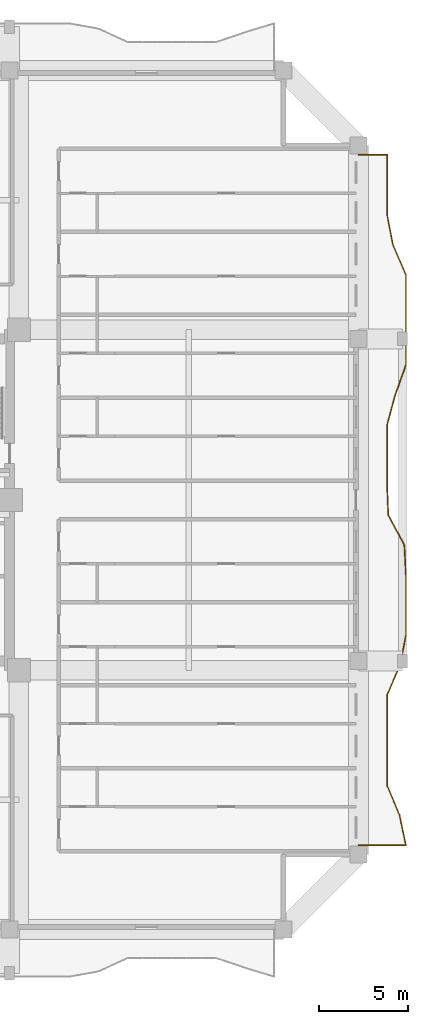
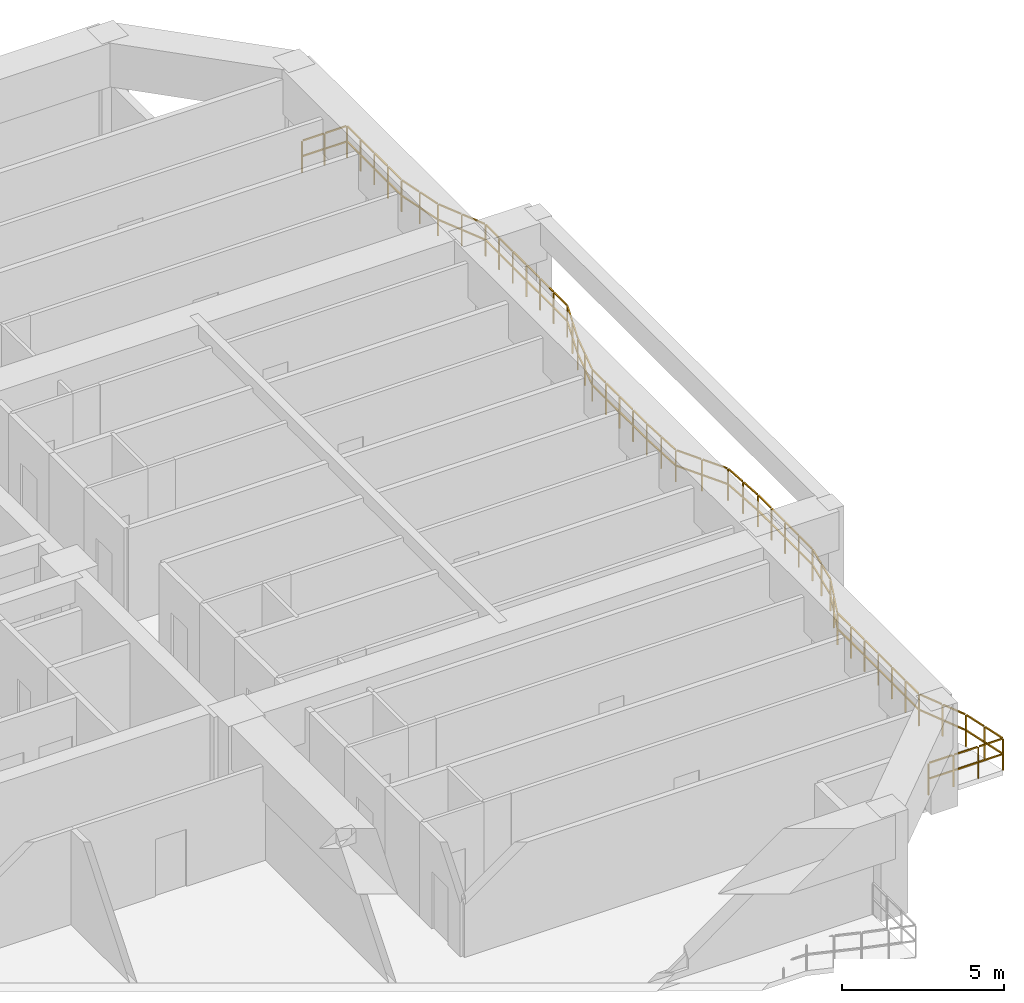
# One storey, part 12 of 13: 1 railing.
"""IFC4 building model written with IfcOpenShell, lengths in metres."""

from ifc_helpers import new_model, si_unit, direction, frame, origin, origin_2d, place, context, subcontext, project, spatial, rectangle, extrude, material, type_object, element, save


model = new_model("IFC4")

# Units and contexts
model_context = context("Model", 3, precision=1e-05, world=origin(), true_north=direction((0.0, 1.0)))
body_context = subcontext(model_context, "Body", "Model", "MODEL_VIEW")
ifc_project = project(units=[si_unit("LENGTHUNIT", "METRE"), si_unit("AREAUNIT", "SQUARE_METRE"), si_unit("VOLUMEUNIT", "CUBIC_METRE"), si_unit("PLANEANGLEUNIT", "RADIAN"), si_unit("MASSUNIT", "GRAM", prefix="KILO")], contexts=[model_context])

# Site, building, storey
site_placement = place(None, origin())
site = spatial("IfcSite", under=ifc_project, at=site_placement, CompositionType="ELEMENT")
building_placement = place(site_placement, origin())
building = spatial("IfcBuilding", under=site, at=building_placement, Name="Saelheon Loggia Tower", CompositionType="ELEMENT")
storey_placement = place(building_placement, frame((0.0, 0.0, 122.85009765625)))
storey = spatial("IfcBuildingStorey", under=building, at=storey_placement, Name="L39", CompositionType="ELEMENT", Elevation=122.85009765625)

# Railing
ifc_material = material(Name="Architectural Precast Concrete and Laminated Glass Guard", Category="concrete")
railing_type = type_object("IfcRailingType", Name="Guard_Loggia_RL_LOG", PredefinedType="BALUSTRADE", material=ifc_material)
railing_placement = place(storey_placement, frame((64.0, 7.699951171875, 0.0)))
element("IfcRailing", 1, at=railing_placement, inside=storey, type_object=railing_type, Name="L39 East Loggia Balustrade", PredefinedType="BALUSTRADE", context=body_context, shape_type="SweptSolid", body=[
    extrude(rectangle(XDim=0.048095703125, YDim=0.048095703125, at=origin_2d()), frame((0.033203125, 0.0, 1.19580078125), z_axis=(1.0, 0.0, 0.0), x_axis=(0.0, 1.0, 0.0)), (0.0, 0.0, 1.0), 0.81689453125),
    extrude(rectangle(XDim=0.048095703125, YDim=0.048095703125, at=origin_2d()), frame((0.033203125, 0.0, 0.60986328125), z_axis=(1.0, 0.0, 0.0), x_axis=(0.0, 1.0, 0.0)), (0.0, 0.0, 1.0), 0.81689453125),
    extrude(rectangle(XDim=0.048095703125, YDim=0.048095703125, at=origin_2d()), frame((0.91650390625, 0.0, 1.19580078125), z_axis=(1.0, 0.0, 0.0), x_axis=(0.0, 1.0, 0.0)), (0.0, 0.0, 1.0), 0.81689453125),
    extrude(rectangle(XDim=0.048095703125, YDim=0.048095703125, at=origin_2d()), frame((0.91650390625, 0.0, 0.60986328125), z_axis=(1.0, 0.0, 0.0), x_axis=(0.0, 1.0, 0.0)), (0.0, 0.0, 1.0), 0.81689453125),
    extrude(rectangle(XDim=0.048095703125, YDim=0.048095703125, at=origin_2d()), frame((1.7998046875, 0.0, 1.19580078125), z_axis=(1.0, 0.0, 0.0), x_axis=(0.0, 1.0, 0.0)), (0.0, 0.0, 1.0), 0.81689453125),
    extrude(rectangle(XDim=0.048095703125, YDim=0.048095703125, at=origin_2d()), frame((1.7998046875, 0.0, 0.60986328125), z_axis=(1.0, 0.0, 0.0), x_axis=(0.0, 1.0, 0.0)), (0.0, 0.0, 1.0), 0.81689453125),
    extrude(rectangle(XDim=0.048095703125, YDim=0.048095703125, at=origin_2d()), frame((2.64306640625, 0.032470703125, 1.19580078125), z_axis=(-0.205414978073, 0.978674964829, 0.0), x_axis=(-0.978674964829, -0.205414978073, 0.0)), (0.0, 0.0, 1.0), 0.791015625),
    extrude(rectangle(XDim=0.048095703125, YDim=0.048095703125, at=origin_2d()), frame((2.64306640625, 0.032470703125, 0.60986328125), z_axis=(-0.205414978073, 0.978674964829, 0.0), x_axis=(-0.978674964829, -0.205414978073, 0.0)), (0.0, 0.0, 1.0), 0.791015625),
    extrude(rectangle(XDim=0.048095703125, YDim=0.048095703125, at=origin_2d()), frame((2.467041015625, 0.871826171875, 1.19580078125), z_axis=(-0.205414978073, 0.978674964829, 0.0), x_axis=(-0.978674964829, -0.205414978073, 0.0)), (0.0, 0.0, 1.0), 0.791015625),
    extrude(rectangle(XDim=0.048095703125, YDim=0.048095703125, at=origin_2d()), frame((2.467041015625, 0.871826171875, 0.60986328125), z_axis=(-0.205414978073, 0.978674964829, 0.0), x_axis=(-0.978674964829, -0.205414978073, 0.0)), (0.0, 0.0, 1.0), 0.791015625),
    extrude(rectangle(XDim=0.048095703125, YDim=0.048095703125, at=origin_2d()), frame((2.284912109375, 1.709228515625, 1.19580078125), z_axis=(-0.383842529392, 0.923398566508, 0.0), x_axis=(-0.923398566508, -0.383842529392, 0.0)), (0.0, 0.0, 1.0), 0.842041015625),
    extrude(rectangle(XDim=0.048095703125, YDim=0.048095703125, at=origin_2d()), frame((2.284912109375, 1.709228515625, 0.60986328125), z_axis=(-0.383842529392, 0.923398566508, 0.0), x_axis=(-0.923398566508, -0.383842529392, 0.0)), (0.0, 0.0, 1.0), 0.842041015625),
    extrude(rectangle(XDim=0.048095703125, YDim=0.048095703125, at=origin_2d()), frame((1.93603515625, 2.548095703125, 1.19580078125), z_axis=(-0.383842529392, 0.923398566508, 0.0), x_axis=(-0.923398566508, -0.383842529392, 0.0)), (0.0, 0.0, 1.0), 0.842041015625),
    extrude(rectangle(XDim=0.048095703125, YDim=0.048095703125, at=origin_2d()), frame((1.93603515625, 2.548095703125, 0.60986328125), z_axis=(-0.383842529392, 0.923398566508, 0.0), x_axis=(-0.923398566508, -0.383842529392, 0.0)), (0.0, 0.0, 1.0), 0.842041015625),
    extrude(rectangle(XDim=0.048095703125, YDim=0.048095703125, at=origin_2d()), frame((1.60009765625, 3.3896484375, 1.19580078125), z_axis=(0.0, 1.0, 0.0), x_axis=(-1.0, 0.0, 0.0)), (0.0, 0.0, 1.0), 0.772705078125),
    extrude(rectangle(XDim=0.048095703125, YDim=0.048095703125, at=origin_2d()), frame((1.60009765625, 3.3896484375, 0.60986328125), z_axis=(0.0, 1.0, 0.0), x_axis=(-1.0, 0.0, 0.0)), (0.0, 0.0, 1.0), 0.772705078125),
    extrude(rectangle(XDim=0.048095703125, YDim=0.048095703125, at=origin_2d()), frame((1.60009765625, 4.22900390625, 1.19580078125), z_axis=(0.0, 1.0, 0.0), x_axis=(-1.0, 0.0, 0.0)), (0.0, 0.0, 1.0), 0.772705078125),
    extrude(rectangle(XDim=0.048095703125, YDim=0.048095703125, at=origin_2d()), frame((1.60009765625, 4.22900390625, 0.60986328125), z_axis=(0.0, 1.0, 0.0), x_axis=(-1.0, 0.0, 0.0)), (0.0, 0.0, 1.0), 0.772705078125),
    extrude(rectangle(XDim=0.048095703125, YDim=0.048095703125, at=origin_2d()), frame((1.60009765625, 5.068115234375, 1.19580078125), z_axis=(0.0, 1.0, 0.0), x_axis=(-1.0, 0.0, 0.0)), (0.0, 0.0, 1.0), 0.772705078125),
    extrude(rectangle(XDim=0.048095703125, YDim=0.048095703125, at=origin_2d()), frame((1.60009765625, 5.068115234375, 0.60986328125), z_axis=(0.0, 1.0, 0.0), x_axis=(-1.0, 0.0, 0.0)), (0.0, 0.0, 1.0), 0.772705078125),
    extrude(rectangle(XDim=0.048095703125, YDim=0.048095703125, at=origin_2d()), frame((1.60009765625, 5.9072265625, 1.19580078125), z_axis=(0.0, 1.0, 0.0), x_axis=(-1.0, 0.0, 0.0)), (0.0, 0.0, 1.0), 0.772705078125),
    extrude(rectangle(XDim=0.048095703125, YDim=0.048095703125, at=origin_2d()), frame((1.60009765625, 5.9072265625, 0.60986328125), z_axis=(0.0, 1.0, 0.0), x_axis=(-1.0, 0.0, 0.0)), (0.0, 0.0, 1.0), 0.772705078125),
    extrude(rectangle(XDim=0.048095703125, YDim=0.048095703125, at=origin_2d()), frame((1.60009765625, 6.746337890625, 1.19580078125), z_axis=(0.0, 1.0, 0.0), x_axis=(-1.0, 0.0, 0.0)), (0.0, 0.0, 1.0), 0.772705078125),
    extrude(rectangle(XDim=0.048095703125, YDim=0.048095703125, at=origin_2d()), frame((1.60009765625, 6.746337890625, 0.60986328125), z_axis=(0.0, 1.0, 0.0), x_axis=(-1.0, 0.0, 0.0)), (0.0, 0.0, 1.0), 0.772705078125),
    extrude(rectangle(XDim=0.048095703125, YDim=0.048095703125, at=origin_2d()), frame((1.60009765625, 7.58544921875, 1.19580078125), z_axis=(0.0, 1.0, 0.0), x_axis=(-1.0, 0.0, 0.0)), (0.0, 0.0, 1.0), 0.772705078125),
    extrude(rectangle(XDim=0.048095703125, YDim=0.048095703125, at=origin_2d()), frame((1.60009765625, 7.58544921875, 0.60986328125), z_axis=(0.0, 1.0, 0.0), x_axis=(-1.0, 0.0, 0.0)), (0.0, 0.0, 1.0), 0.772705078125),
    extrude(rectangle(XDim=0.048095703125, YDim=0.048095703125, at=origin_2d()), frame((1.61328125, 8.421875, 1.19580078125), z_axis=(0.395724447391, 0.918369294857, 0.0), x_axis=(-0.918369294857, 0.395724447391, 0.0)), (0.0, 0.0, 1.0), 0.84716796875),
    extrude(rectangle(XDim=0.048095703125, YDim=0.048095703125, at=origin_2d()), frame((1.61328125, 8.421875, 0.60986328125), z_axis=(0.395724447391, 0.918369294857, 0.0), x_axis=(-0.918369294857, 0.395724447391, 0.0)), (0.0, 0.0, 1.0), 0.84716796875),
    extrude(rectangle(XDim=0.048095703125, YDim=0.048095703125, at=origin_2d()), frame((1.974853515625, 9.260986328125, 1.19580078125), z_axis=(0.395724447391, 0.918369294857, 0.0), x_axis=(-0.918369294857, 0.395724447391, 0.0)), (0.0, 0.0, 1.0), 0.84716796875),
    extrude(rectangle(XDim=0.048095703125, YDim=0.048095703125, at=origin_2d()), frame((1.974853515625, 9.260986328125, 0.60986328125), z_axis=(0.395724447391, 0.918369294857, 0.0), x_axis=(-0.918369294857, 0.395724447391, 0.0)), (0.0, 0.0, 1.0), 0.84716796875),
    extrude(rectangle(XDim=0.048095703125, YDim=0.048095703125, at=origin_2d()), frame((2.32958984375, 10.102294921875, 1.19580078125), z_axis=(0.191060757648, 0.981578212313, 0.0), x_axis=(-0.981578212313, 0.191060757648, 0.0)), (0.0, 0.0, 1.0), 0.788330078125),
    extrude(rectangle(XDim=0.048095703125, YDim=0.048095703125, at=origin_2d()), frame((2.32958984375, 10.102294921875, 0.60986328125), z_axis=(0.191060757648, 0.981578212313, 0.0), x_axis=(-0.981578212313, 0.191060757648, 0.0)), (0.0, 0.0, 1.0), 0.788330078125),
    extrude(rectangle(XDim=0.048095703125, YDim=0.048095703125, at=origin_2d()), frame((2.492919921875, 10.94140625, 1.19580078125), z_axis=(0.191060757648, 0.981578212313, 0.0), x_axis=(-0.981578212313, 0.191060757648, 0.0)), (0.0, 0.0, 1.0), 0.788330078125),
    extrude(rectangle(XDim=0.048095703125, YDim=0.048095703125, at=origin_2d()), frame((2.492919921875, 10.94140625, 0.60986328125), z_axis=(0.191060757648, 0.981578212313, 0.0), x_axis=(-0.981578212313, 0.191060757648, 0.0)), (0.0, 0.0, 1.0), 0.788330078125),
    extrude(rectangle(XDim=0.048095703125, YDim=0.048095703125, at=origin_2d()), frame((2.64990234375, 11.781005859375, 1.19580078125), z_axis=(0.0, 1.0, 0.0), x_axis=(-1.0, 0.0, 0.0)), (0.0, 0.0, 1.0), 0.772705078125),
    extrude(rectangle(XDim=0.048095703125, YDim=0.048095703125, at=origin_2d()), frame((2.64990234375, 11.781005859375, 0.60986328125), z_axis=(0.0, 1.0, 0.0), x_axis=(-1.0, 0.0, 0.0)), (0.0, 0.0, 1.0), 0.772705078125),
    extrude(rectangle(XDim=0.048095703125, YDim=0.048095703125, at=origin_2d()), frame((2.64990234375, 12.620361328125, 1.19580078125), z_axis=(0.0, 1.0, 0.0), x_axis=(-1.0, 0.0, 0.0)), (0.0, 0.0, 1.0), 0.772705078125),
    extrude(rectangle(XDim=0.048095703125, YDim=0.048095703125, at=origin_2d()), frame((2.64990234375, 12.620361328125, 0.60986328125), z_axis=(0.0, 1.0, 0.0), x_axis=(-1.0, 0.0, 0.0)), (0.0, 0.0, 1.0), 0.772705078125),
    extrude(rectangle(XDim=0.048095703125, YDim=0.048095703125, at=origin_2d()), frame((2.64990234375, 13.45947265625, 1.19580078125), z_axis=(0.0, 1.0, 0.0), x_axis=(-1.0, 0.0, 0.0)), (0.0, 0.0, 1.0), 0.7724609375),
    extrude(rectangle(XDim=0.048095703125, YDim=0.048095703125, at=origin_2d()), frame((2.64990234375, 13.45947265625, 0.60986328125), z_axis=(0.0, 1.0, 0.0), x_axis=(-1.0, 0.0, 0.0)), (0.0, 0.0, 1.0), 0.7724609375),
    extrude(rectangle(XDim=0.048095703125, YDim=0.048095703125, at=origin_2d()), frame((2.64990234375, 14.298583984375, 1.19580078125), z_axis=(0.0, 1.0, 0.0), x_axis=(-1.0, 0.0, 0.0)), (0.0, 0.0, 1.0), 0.7724609375),
    extrude(rectangle(XDim=0.048095703125, YDim=0.048095703125, at=origin_2d()), frame((2.64990234375, 14.298583984375, 0.60986328125), z_axis=(0.0, 1.0, 0.0), x_axis=(-1.0, 0.0, 0.0)), (0.0, 0.0, 1.0), 0.7724609375),
    extrude(rectangle(XDim=0.048095703125, YDim=0.048095703125, at=origin_2d()), frame((2.648193359375, 15.137451171875, 1.19580078125), z_axis=(-0.053161084744, 0.998585949765, 0.0), x_axis=(-0.998585949765, -0.053161084744, 0.0)), (0.0, 0.0, 1.0), 0.77392578125),
    extrude(rectangle(XDim=0.048095703125, YDim=0.048095703125, at=origin_2d()), frame((2.648193359375, 15.137451171875, 0.60986328125), z_axis=(-0.053161084744, 0.998585949765, 0.0), x_axis=(-0.998585949765, -0.053161084744, 0.0)), (0.0, 0.0, 1.0), 0.77392578125),
    extrude(rectangle(XDim=0.048095703125, YDim=0.048095703125, at=origin_2d()), frame((2.603515625, 15.9765625, 1.19580078125), z_axis=(-0.053161084744, 0.998585949765, 0.0), x_axis=(-0.998585949765, -0.053161084744, 0.0)), (0.0, 0.0, 1.0), 0.77392578125),
    extrude(rectangle(XDim=0.048095703125, YDim=0.048095703125, at=origin_2d()), frame((2.603515625, 15.9765625, 0.60986328125), z_axis=(-0.053161084744, 0.998585949765, 0.0), x_axis=(-0.998585949765, -0.053161084744, 0.0)), (0.0, 0.0, 1.0), 0.77392578125),
    extrude(rectangle(XDim=0.048095703125, YDim=0.048095703125, at=origin_2d()), frame((2.544921875, 16.81201171875, 1.19580078125), z_axis=(-0.470474964031, 0.882413343179, 0.0), x_axis=(-0.882413343179, -0.470474964031, 0.0)), (0.0, 0.0, 1.0), 0.884521484375),
    extrude(rectangle(XDim=0.048095703125, YDim=0.048095703125, at=origin_2d()), frame((2.544921875, 16.81201171875, 0.60986328125), z_axis=(-0.470474964031, 0.882413343179, 0.0), x_axis=(-0.882413343179, -0.470474964031, 0.0)), (0.0, 0.0, 1.0), 0.884521484375),
    extrude(rectangle(XDim=0.048095703125, YDim=0.048095703125, at=origin_2d()), frame((2.097412109375, 17.651123046875, 1.19580078125), z_axis=(-0.470474964031, 0.882413343179, 0.0), x_axis=(-0.882413343179, -0.470474964031, 0.0)), (0.0, 0.0, 1.0), 0.884521484375),
    extrude(rectangle(XDim=0.048095703125, YDim=0.048095703125, at=origin_2d()), frame((2.097412109375, 17.651123046875, 0.60986328125), z_axis=(-0.470474964031, 0.882413343179, 0.0), x_axis=(-0.882413343179, -0.470474964031, 0.0)), (0.0, 0.0, 1.0), 0.884521484375),
    extrude(rectangle(XDim=0.048095703125, YDim=0.048095703125, at=origin_2d()), frame((1.66455078125, 18.494140625, 1.19580078125), z_axis=(-0.039103035271, 0.999235183844, 0.0), x_axis=(-0.999235183844, -0.039103035271, 0.0)), (0.0, 0.0, 1.0), 0.773193359375),
    extrude(rectangle(XDim=0.048095703125, YDim=0.048095703125, at=origin_2d()), frame((1.66455078125, 18.494140625, 0.60986328125), z_axis=(-0.039103035271, 0.999235183844, 0.0), x_axis=(-0.999235183844, -0.039103035271, 0.0)), (0.0, 0.0, 1.0), 0.773193359375),
    extrude(rectangle(XDim=0.048095703125, YDim=0.048095703125, at=origin_2d()), frame((1.631591796875, 19.333251953125, 1.19580078125), z_axis=(-0.039103035271, 0.999235183844, 0.0), x_axis=(-0.999235183844, -0.039103035271, 0.0)), (0.0, 0.0, 1.0), 0.773193359375),
    extrude(rectangle(XDim=0.048095703125, YDim=0.048095703125, at=origin_2d()), frame((1.631591796875, 19.333251953125, 0.60986328125), z_axis=(-0.039103035271, 0.999235183844, 0.0), x_axis=(-0.999235183844, -0.039103035271, 0.0)), (0.0, 0.0, 1.0), 0.773193359375),
    extrude(rectangle(XDim=0.048095703125, YDim=0.048095703125, at=origin_2d()), frame((1.60009765625, 20.17236328125, 1.19580078125), z_axis=(0.0, 1.0, 0.0), x_axis=(-1.0, 0.0, 0.0)), (0.0, 0.0, 1.0), 0.772705078125),
    extrude(rectangle(XDim=0.048095703125, YDim=0.048095703125, at=origin_2d()), frame((1.60009765625, 20.17236328125, 0.60986328125), z_axis=(0.0, 1.0, 0.0), x_axis=(-1.0, 0.0, 0.0)), (0.0, 0.0, 1.0), 0.772705078125),
    extrude(rectangle(XDim=0.048095703125, YDim=0.048095703125, at=origin_2d()), frame((1.60009765625, 21.011474609375, 1.19580078125), z_axis=(0.0, 1.0, 0.0), x_axis=(-1.0, 0.0, 0.0)), (0.0, 0.0, 1.0), 0.772705078125),
    extrude(rectangle(XDim=0.048095703125, YDim=0.048095703125, at=origin_2d()), frame((1.60009765625, 21.011474609375, 0.60986328125), z_axis=(0.0, 1.0, 0.0), x_axis=(-1.0, 0.0, 0.0)), (0.0, 0.0, 1.0), 0.772705078125),
    extrude(rectangle(XDim=0.048095703125, YDim=0.048095703125, at=origin_2d()), frame((1.60009765625, 21.8505859375, 1.19580078125), z_axis=(0.0, 1.0, 0.0), x_axis=(-1.0, 0.0, 0.0)), (0.0, 0.0, 1.0), 0.772705078125),
    extrude(rectangle(XDim=0.048095703125, YDim=0.048095703125, at=origin_2d()), frame((1.60009765625, 21.8505859375, 0.60986328125), z_axis=(0.0, 1.0, 0.0), x_axis=(-1.0, 0.0, 0.0)), (0.0, 0.0, 1.0), 0.772705078125),
    extrude(rectangle(XDim=0.048095703125, YDim=0.048095703125, at=origin_2d()), frame((1.60009765625, 22.68994140625, 1.19580078125), z_axis=(0.0, 1.0, 0.0), x_axis=(-1.0, 0.0, 0.0)), (0.0, 0.0, 1.0), 0.772705078125),
    extrude(rectangle(XDim=0.048095703125, YDim=0.048095703125, at=origin_2d()), frame((1.60009765625, 22.68994140625, 0.60986328125), z_axis=(0.0, 1.0, 0.0), x_axis=(-1.0, 0.0, 0.0)), (0.0, 0.0, 1.0), 0.772705078125),
    extrude(rectangle(XDim=0.048095703125, YDim=0.048095703125, at=origin_2d()), frame((1.60888671875, 23.52783203125, 1.19580078125), z_axis=(0.261227378057, 0.965277295368, 0.0), x_axis=(-0.965277295368, 0.261227378057, 0.0)), (0.0, 0.0, 1.0), 0.802734375),
    extrude(rectangle(XDim=0.048095703125, YDim=0.048095703125, at=origin_2d()), frame((1.60888671875, 23.52783203125, 0.60986328125), z_axis=(0.261227378057, 0.965277295368, 0.0), x_axis=(-0.965277295368, 0.261227378057, 0.0)), (0.0, 0.0, 1.0), 0.802734375),
    extrude(rectangle(XDim=0.048095703125, YDim=0.048095703125, at=origin_2d()), frame((1.8359375, 24.366943359375, 1.19580078125), z_axis=(0.261227378057, 0.965277295368, 0.0), x_axis=(-0.965277295368, 0.261227378057, 0.0)), (0.0, 0.0, 1.0), 0.802734375),
    extrude(rectangle(XDim=0.048095703125, YDim=0.048095703125, at=origin_2d()), frame((1.8359375, 24.366943359375, 0.60986328125), z_axis=(0.261227378057, 0.965277295368, 0.0), x_axis=(-0.965277295368, 0.261227378057, 0.0)), (0.0, 0.0, 1.0), 0.802734375),
    extrude(rectangle(XDim=0.048095703125, YDim=0.048095703125, at=origin_2d()), frame((2.0654296875, 25.205078125, 1.19580078125), z_axis=(0.334468754842, 0.942406839976, 0.0), x_axis=(-0.942406839976, 0.334468754842, 0.0)), (0.0, 0.0, 1.0), 0.823974609375),
    extrude(rectangle(XDim=0.048095703125, YDim=0.048095703125, at=origin_2d()), frame((2.0654296875, 25.205078125, 0.60986328125), z_axis=(0.334468754842, 0.942406839976, 0.0), x_axis=(-0.942406839976, 0.334468754842, 0.0)), (0.0, 0.0, 1.0), 0.823974609375),
    extrude(rectangle(XDim=0.048095703125, YDim=0.048095703125, at=origin_2d()), frame((2.36328125, 26.04443359375, 1.19580078125), z_axis=(0.334468754842, 0.942406839976, 0.0), x_axis=(-0.942406839976, 0.334468754842, 0.0)), (0.0, 0.0, 1.0), 0.823974609375),
    extrude(rectangle(XDim=0.048095703125, YDim=0.048095703125, at=origin_2d()), frame((2.36328125, 26.04443359375, 0.60986328125), z_axis=(0.334468754842, 0.942406839976, 0.0), x_axis=(-0.942406839976, 0.334468754842, 0.0)), (0.0, 0.0, 1.0), 0.823974609375),
    extrude(rectangle(XDim=0.048095703125, YDim=0.048095703125, at=origin_2d()), frame((2.64990234375, 26.885498046875, 1.19580078125), z_axis=(0.0, 1.0, 0.0), x_axis=(-1.0, 0.0, 0.0)), (0.0, 0.0, 1.0), 0.772705078125),
    extrude(rectangle(XDim=0.048095703125, YDim=0.048095703125, at=origin_2d()), frame((2.64990234375, 26.885498046875, 0.60986328125), z_axis=(0.0, 1.0, 0.0), x_axis=(-1.0, 0.0, 0.0)), (0.0, 0.0, 1.0), 0.772705078125),
    extrude(rectangle(XDim=0.048095703125, YDim=0.048095703125, at=origin_2d()), frame((2.64990234375, 27.724609375, 1.19580078125), z_axis=(0.0, 1.0, 0.0), x_axis=(-1.0, 0.0, 0.0)), (0.0, 0.0, 1.0), 0.772705078125),
    extrude(rectangle(XDim=0.048095703125, YDim=0.048095703125, at=origin_2d()), frame((2.64990234375, 27.724609375, 0.60986328125), z_axis=(0.0, 1.0, 0.0), x_axis=(-1.0, 0.0, 0.0)), (0.0, 0.0, 1.0), 0.772705078125),
    extrude(rectangle(XDim=0.048095703125, YDim=0.048095703125, at=origin_2d()), frame((2.64990234375, 28.563720703125, 1.19580078125), z_axis=(0.0, 1.0, 0.0), x_axis=(-1.0, 0.0, 0.0)), (0.0, 0.0, 1.0), 0.772705078125),
    extrude(rectangle(XDim=0.048095703125, YDim=0.048095703125, at=origin_2d()), frame((2.64990234375, 28.563720703125, 0.60986328125), z_axis=(0.0, 1.0, 0.0), x_axis=(-1.0, 0.0, 0.0)), (0.0, 0.0, 1.0), 0.772705078125),
    extrude(rectangle(XDim=0.048095703125, YDim=0.048095703125, at=origin_2d()), frame((2.64990234375, 29.40283203125, 1.19580078125), z_axis=(0.0, 1.0, 0.0), x_axis=(-1.0, 0.0, 0.0)), (0.0, 0.0, 1.0), 0.772705078125),
    extrude(rectangle(XDim=0.048095703125, YDim=0.048095703125, at=origin_2d()), frame((2.64990234375, 29.40283203125, 0.60986328125), z_axis=(0.0, 1.0, 0.0), x_axis=(-1.0, 0.0, 0.0)), (0.0, 0.0, 1.0), 0.772705078125),
    extrude(rectangle(XDim=0.048095703125, YDim=0.048095703125, at=origin_2d()), frame((2.64990234375, 30.241943359375, 1.19580078125), z_axis=(0.0, 1.0, 0.0), x_axis=(-1.0, 0.0, 0.0)), (0.0, 0.0, 1.0), 0.772705078125),
    extrude(rectangle(XDim=0.048095703125, YDim=0.048095703125, at=origin_2d()), frame((2.64990234375, 30.241943359375, 0.60986328125), z_axis=(0.0, 1.0, 0.0), x_axis=(-1.0, 0.0, 0.0)), (0.0, 0.0, 1.0), 0.772705078125),
    extrude(rectangle(XDim=0.048095703125, YDim=0.048095703125, at=origin_2d()), frame((2.64990234375, 31.0810546875, 1.19580078125), z_axis=(0.0, 1.0, 0.0), x_axis=(-1.0, 0.0, 0.0)), (0.0, 0.0, 1.0), 0.772705078125),
    extrude(rectangle(XDim=0.048095703125, YDim=0.048095703125, at=origin_2d()), frame((2.64990234375, 31.0810546875, 0.60986328125), z_axis=(0.0, 1.0, 0.0), x_axis=(-1.0, 0.0, 0.0)), (0.0, 0.0, 1.0), 0.772705078125),
    extrude(rectangle(XDim=0.048095703125, YDim=0.048095703125, at=origin_2d()), frame((2.63671875, 31.91748046875, 1.19580078125), z_axis=(-0.396400198959, 0.918077819286, 0.0), x_axis=(-0.918077819286, -0.396400198959, 0.0)), (0.0, 0.0, 1.0), 0.847412109375),
    extrude(rectangle(XDim=0.048095703125, YDim=0.048095703125, at=origin_2d()), frame((2.63671875, 31.91748046875, 0.60986328125), z_axis=(-0.396400198959, 0.918077819286, 0.0), x_axis=(-0.918077819286, -0.396400198959, 0.0)), (0.0, 0.0, 1.0), 0.847412109375),
    extrude(rectangle(XDim=0.048095703125, YDim=0.048095703125, at=origin_2d()), frame((2.2744140625, 32.756591796875, 1.19580078125), z_axis=(-0.396400198959, 0.918077819286, 0.0), x_axis=(-0.918077819286, -0.396400198959, 0.0)), (0.0, 0.0, 1.0), 0.847412109375),
    extrude(rectangle(XDim=0.048095703125, YDim=0.048095703125, at=origin_2d()), frame((2.2744140625, 32.756591796875, 0.60986328125), z_axis=(-0.396400198959, 0.918077819286, 0.0), x_axis=(-0.918077819286, -0.396400198959, 0.0)), (0.0, 0.0, 1.0), 0.847412109375),
    extrude(rectangle(XDim=0.048095703125, YDim=0.048095703125, at=origin_2d()), frame((1.9189453125, 33.597900390625, 1.19580078125), z_axis=(-0.190208387004, 0.981743739228, 0.0), x_axis=(-0.981743739228, -0.190208387004, 0.0)), (0.0, 0.0, 1.0), 0.788330078125),
    extrude(rectangle(XDim=0.048095703125, YDim=0.048095703125, at=origin_2d()), frame((1.9189453125, 33.597900390625, 0.60986328125), z_axis=(-0.190208387004, 0.981743739228, 0.0), x_axis=(-0.981743739228, -0.190208387004, 0.0)), (0.0, 0.0, 1.0), 0.788330078125),
    extrude(rectangle(XDim=0.048095703125, YDim=0.048095703125, at=origin_2d()), frame((1.75634765625, 34.43701171875, 1.19580078125), z_axis=(-0.190208387004, 0.981743739228, 0.0), x_axis=(-0.981743739228, -0.190208387004, 0.0)), (0.0, 0.0, 1.0), 0.788330078125),
    extrude(rectangle(XDim=0.048095703125, YDim=0.048095703125, at=origin_2d()), frame((1.75634765625, 34.43701171875, 0.60986328125), z_axis=(-0.190208387004, 0.981743739228, 0.0), x_axis=(-0.981743739228, -0.190208387004, 0.0)), (0.0, 0.0, 1.0), 0.788330078125),
    extrude(rectangle(XDim=0.048095703125, YDim=0.048095703125, at=origin_2d()), frame((1.60009765625, 35.27685546875, 1.19580078125), z_axis=(0.0, 1.0, 0.0), x_axis=(-1.0, 0.0, 0.0)), (0.0, 0.0, 1.0), 0.7724609375),
    extrude(rectangle(XDim=0.048095703125, YDim=0.048095703125, at=origin_2d()), frame((1.60009765625, 35.27685546875, 0.60986328125), z_axis=(0.0, 1.0, 0.0), x_axis=(-1.0, 0.0, 0.0)), (0.0, 0.0, 1.0), 0.7724609375),
    extrude(rectangle(XDim=0.048095703125, YDim=0.048095703125, at=origin_2d()), frame((1.60009765625, 36.115966796875, 1.19580078125), z_axis=(0.0, 1.0, 0.0), x_axis=(-1.0, 0.0, 0.0)), (0.0, 0.0, 1.0), 0.7724609375),
    extrude(rectangle(XDim=0.048095703125, YDim=0.048095703125, at=origin_2d()), frame((1.60009765625, 36.115966796875, 0.60986328125), z_axis=(0.0, 1.0, 0.0), x_axis=(-1.0, 0.0, 0.0)), (0.0, 0.0, 1.0), 0.7724609375),
    extrude(rectangle(XDim=0.048095703125, YDim=0.048095703125, at=origin_2d()), frame((1.60009765625, 36.954833984375, 1.19580078125), z_axis=(0.0, 1.0, 0.0), x_axis=(-1.0, 0.0, 0.0)), (0.0, 0.0, 1.0), 0.772705078125),
    extrude(rectangle(XDim=0.048095703125, YDim=0.048095703125, at=origin_2d()), frame((1.60009765625, 36.954833984375, 0.60986328125), z_axis=(0.0, 1.0, 0.0), x_axis=(-1.0, 0.0, 0.0)), (0.0, 0.0, 1.0), 0.772705078125),
    extrude(rectangle(XDim=0.048095703125, YDim=0.048095703125, at=origin_2d()), frame((1.60009765625, 37.794189453125, 1.19580078125), z_axis=(0.0, 1.0, 0.0), x_axis=(-1.0, 0.0, 0.0)), (0.0, 0.0, 1.0), 0.772705078125),
    extrude(rectangle(XDim=0.048095703125, YDim=0.048095703125, at=origin_2d()), frame((1.60009765625, 37.794189453125, 0.60986328125), z_axis=(0.0, 1.0, 0.0), x_axis=(-1.0, 0.0, 0.0)), (0.0, 0.0, 1.0), 0.772705078125),
    extrude(rectangle(XDim=0.048095703125, YDim=0.048095703125, at=origin_2d()), frame((1.56689453125, 38.60009765625, 1.19580078125), z_axis=(-1.0, 0.0, 0.0), x_axis=(0.0, -1.0, 0.0)), (0.0, 0.0, 1.0), 0.733642578125),
    extrude(rectangle(XDim=0.048095703125, YDim=0.048095703125, at=origin_2d()), frame((1.56689453125, 38.60009765625, 0.60986328125), z_axis=(-1.0, 0.0, 0.0), x_axis=(0.0, -1.0, 0.0)), (0.0, 0.0, 1.0), 0.733642578125),
    extrude(rectangle(XDim=0.048095703125, YDim=0.048095703125, at=origin_2d()), frame((0.766845703125, 38.60009765625, 1.19580078125), z_axis=(-1.0, 0.0, 0.0), x_axis=(0.0, -1.0, 0.0)), (0.0, 0.0, 1.0), 0.733642578125),
    extrude(rectangle(XDim=0.048095703125, YDim=0.048095703125, at=origin_2d()), frame((0.766845703125, 38.60009765625, 0.60986328125), z_axis=(-1.0, 0.0, 0.0), x_axis=(0.0, -1.0, 0.0)), (0.0, 0.0, 1.0), 0.733642578125),
    extrude(rectangle(XDim=0.0419921875, YDim=0.0419921875, at=origin_2d()), origin(), (0.0, 0.0, 1.0), 1.16796875),
    extrude(rectangle(XDim=0.0419921875, YDim=0.0419921875, at=origin_2d()), frame((0.88330078125, 0.0, 0.0)), (0.0, 0.0, 1.0), 1.16796875),
    extrude(rectangle(XDim=0.0419921875, YDim=0.0419921875, at=origin_2d()), frame((1.7666015625, 0.0, 0.0)), (0.0, 0.0, 1.0), 1.16796875),
    extrude(rectangle(XDim=0.0419921875, YDim=0.0419921875, at=origin_2d()), frame((2.64990234375, 0.0, 0.0)), (0.0, 0.0, 1.0), 1.16796875),
    extrude(rectangle(XDim=0.0419921875, YDim=0.0419921875, at=origin_2d()), frame((2.4736328125, 0.83935546875, 0.0)), (0.0, 0.0, 1.0), 1.16796875),
    extrude(rectangle(XDim=0.0419921875, YDim=0.0419921875, at=origin_2d()), frame((2.297607421875, 1.678466796875, 0.0)), (0.0, 0.0, 1.0), 1.16796875),
    extrude(rectangle(XDim=0.0419921875, YDim=0.0419921875, at=origin_2d()), frame((1.94873046875, 2.517578125, 0.0)), (0.0, 0.0, 1.0), 1.16796875),
    extrude(rectangle(XDim=0.0419921875, YDim=0.0419921875, at=origin_2d()), frame((1.60009765625, 3.3564453125, 0.0)), (0.0, 0.0, 1.0), 1.16796875),
    extrude(rectangle(XDim=0.0419921875, YDim=0.0419921875, at=origin_2d()), frame((1.60009765625, 4.19580078125, 0.0)), (0.0, 0.0, 1.0), 1.16796875),
    extrude(rectangle(XDim=0.0419921875, YDim=0.0419921875, at=origin_2d()), frame((1.60009765625, 5.034912109375, 0.0)), (0.0, 0.0, 1.0), 1.16796875),
    extrude(rectangle(XDim=0.0419921875, YDim=0.0419921875, at=origin_2d()), frame((1.60009765625, 5.8740234375, 0.0)), (0.0, 0.0, 1.0), 1.16796875),
    extrude(rectangle(XDim=0.0419921875, YDim=0.0419921875, at=origin_2d()), frame((1.60009765625, 6.713134765625, 0.0)), (0.0, 0.0, 1.0), 1.16796875),
    extrude(rectangle(XDim=0.0419921875, YDim=0.0419921875, at=origin_2d()), frame((1.60009765625, 7.55224609375, 0.0)), (0.0, 0.0, 1.0), 1.16796875),
    extrude(rectangle(XDim=0.0419921875, YDim=0.0419921875, at=origin_2d()), frame((1.60009765625, 8.391357421875, 0.0)), (0.0, 0.0, 1.0), 1.16796875),
    extrude(rectangle(XDim=0.0419921875, YDim=0.0419921875, at=origin_2d()), frame((1.961669921875, 9.23046875, 0.0)), (0.0, 0.0, 1.0), 1.16796875),
    extrude(rectangle(XDim=0.0419921875, YDim=0.0419921875, at=origin_2d()), frame((2.3232421875, 10.069580078125, 0.0)), (0.0, 0.0, 1.0), 1.16796875),
    extrude(rectangle(XDim=0.0419921875, YDim=0.0419921875, at=origin_2d()), frame((2.486572265625, 10.90869140625, 0.0)), (0.0, 0.0, 1.0), 1.16796875),
    extrude(rectangle(XDim=0.0419921875, YDim=0.0419921875, at=origin_2d()), frame((2.64990234375, 11.747802734375, 0.0)), (0.0, 0.0, 1.0), 1.16796875),
    extrude(rectangle(XDim=0.0419921875, YDim=0.0419921875, at=origin_2d()), frame((2.64990234375, 12.5869140625, 0.0)), (0.0, 0.0, 1.0), 1.16796875),
    extrude(rectangle(XDim=0.0419921875, YDim=0.0419921875, at=origin_2d()), frame((2.64990234375, 13.42626953125, 0.0)), (0.0, 0.0, 1.0), 1.16796875),
    extrude(rectangle(XDim=0.0419921875, YDim=0.0419921875, at=origin_2d()), frame((2.64990234375, 14.26513671875, 0.0)), (0.0, 0.0, 1.0), 1.16796875),
    extrude(rectangle(XDim=0.0419921875, YDim=0.0419921875, at=origin_2d()), frame((2.64990234375, 15.104248046875, 0.0)), (0.0, 0.0, 1.0), 1.16796875),
    extrude(rectangle(XDim=0.0419921875, YDim=0.0419921875, at=origin_2d()), frame((2.605224609375, 15.943359375, 0.0)), (0.0, 0.0, 1.0), 1.16796875),
    extrude(rectangle(XDim=0.0419921875, YDim=0.0419921875, at=origin_2d()), frame((2.560546875, 16.78271484375, 0.0)), (0.0, 0.0, 1.0), 1.16796875),
    extrude(rectangle(XDim=0.0419921875, YDim=0.0419921875, at=origin_2d()), frame((2.11328125, 17.621826171875, 0.0)), (0.0, 0.0, 1.0), 1.16796875),
    extrude(rectangle(XDim=0.0419921875, YDim=0.0419921875, at=origin_2d()), frame((1.665771484375, 18.4609375, 0.0)), (0.0, 0.0, 1.0), 1.16796875),
    extrude(rectangle(XDim=0.0419921875, YDim=0.0419921875, at=origin_2d()), frame((1.6328125, 19.300048828125, 0.0)), (0.0, 0.0, 1.0), 1.16796875),
    extrude(rectangle(XDim=0.0419921875, YDim=0.0419921875, at=origin_2d()), frame((1.60009765625, 20.13916015625, 0.0)), (0.0, 0.0, 1.0), 1.16796875),
    extrude(rectangle(XDim=0.0419921875, YDim=0.0419921875, at=origin_2d()), frame((1.60009765625, 20.978271484375, 0.0)), (0.0, 0.0, 1.0), 1.16796875),
    extrude(rectangle(XDim=0.0419921875, YDim=0.0419921875, at=origin_2d()), frame((1.60009765625, 21.8173828125, 0.0)), (0.0, 0.0, 1.0), 1.16796875),
    extrude(rectangle(XDim=0.0419921875, YDim=0.0419921875, at=origin_2d()), frame((1.60009765625, 22.65673828125, 0.0)), (0.0, 0.0, 1.0), 1.16796875),
    extrude(rectangle(XDim=0.0419921875, YDim=0.0419921875, at=origin_2d()), frame((1.60009765625, 23.495849609375, 0.0)), (0.0, 0.0, 1.0), 1.16796875),
    extrude(rectangle(XDim=0.0419921875, YDim=0.0419921875, at=origin_2d()), frame((1.8271484375, 24.3349609375, 0.0)), (0.0, 0.0, 1.0), 1.16796875),
    extrude(rectangle(XDim=0.0419921875, YDim=0.0419921875, at=origin_2d()), frame((2.05419921875, 25.173828125, 0.0)), (0.0, 0.0, 1.0), 1.16796875),
    extrude(rectangle(XDim=0.0419921875, YDim=0.0419921875, at=origin_2d()), frame((2.35205078125, 26.01318359375, 0.0)), (0.0, 0.0, 1.0), 1.16796875),
    extrude(rectangle(XDim=0.0419921875, YDim=0.0419921875, at=origin_2d()), frame((2.64990234375, 26.852294921875, 0.0)), (0.0, 0.0, 1.0), 1.16796875),
    extrude(rectangle(XDim=0.0419921875, YDim=0.0419921875, at=origin_2d()), frame((2.64990234375, 27.69140625, 0.0)), (0.0, 0.0, 1.0), 1.16796875),
    extrude(rectangle(XDim=0.0419921875, YDim=0.0419921875, at=origin_2d()), frame((2.64990234375, 28.530517578125, 0.0)), (0.0, 0.0, 1.0), 1.16796875),
    extrude(rectangle(XDim=0.0419921875, YDim=0.0419921875, at=origin_2d()), frame((2.64990234375, 29.36962890625, 0.0)), (0.0, 0.0, 1.0), 1.16796875),
    extrude(rectangle(XDim=0.0419921875, YDim=0.0419921875, at=origin_2d()), frame((2.64990234375, 30.208740234375, 0.0)), (0.0, 0.0, 1.0), 1.16796875),
    extrude(rectangle(XDim=0.0419921875, YDim=0.0419921875, at=origin_2d()), frame((2.64990234375, 31.0478515625, 0.0)), (0.0, 0.0, 1.0), 1.16796875),
    extrude(rectangle(XDim=0.0419921875, YDim=0.0419921875, at=origin_2d()), frame((2.64990234375, 31.886962890625, 0.0)), (0.0, 0.0, 1.0), 1.16796875),
    extrude(rectangle(XDim=0.0419921875, YDim=0.0419921875, at=origin_2d()), frame((2.28759765625, 32.72607421875, 0.0)), (0.0, 0.0, 1.0), 1.16796875),
    extrude(rectangle(XDim=0.0419921875, YDim=0.0419921875, at=origin_2d()), frame((1.92529296875, 33.565185546875, 0.0)), (0.0, 0.0, 1.0), 1.16796875),
    extrude(rectangle(XDim=0.0419921875, YDim=0.0419921875, at=origin_2d()), frame((1.7626953125, 34.404296875, 0.0)), (0.0, 0.0, 1.0), 1.16796875),
    extrude(rectangle(XDim=0.0419921875, YDim=0.0419921875, at=origin_2d()), frame((1.60009765625, 35.24365234375, 0.0)), (0.0, 0.0, 1.0), 1.16796875),
    extrude(rectangle(XDim=0.0419921875, YDim=0.0419921875, at=origin_2d()), frame((1.60009765625, 36.08251953125, 0.0)), (0.0, 0.0, 1.0), 1.16796875),
    extrude(rectangle(XDim=0.0419921875, YDim=0.0419921875, at=origin_2d()), frame((1.60009765625, 36.921630859375, 0.0)), (0.0, 0.0, 1.0), 1.16796875),
    extrude(rectangle(XDim=0.0419921875, YDim=0.0419921875, at=origin_2d()), frame((1.60009765625, 37.7607421875, 0.0)), (0.0, 0.0, 1.0), 1.16796875),
    extrude(rectangle(XDim=0.0419921875, YDim=0.0419921875, at=origin_2d()), frame((1.60009765625, 38.60009765625, 0.0)), (0.0, 0.0, 1.0), 1.16796875),
    extrude(rectangle(XDim=0.0419921875, YDim=0.0419921875, at=origin_2d()), frame((0.800048828125, 38.60009765625, 0.0)), (0.0, 0.0, 1.0), 1.16796875),
    extrude(rectangle(XDim=0.0419921875, YDim=0.0419921875, at=origin_2d()), frame((0.0, 38.60009765625, 0.0)), (0.0, 0.0, 1.0), 1.16796875),
])

save(model, "model.ifc")
